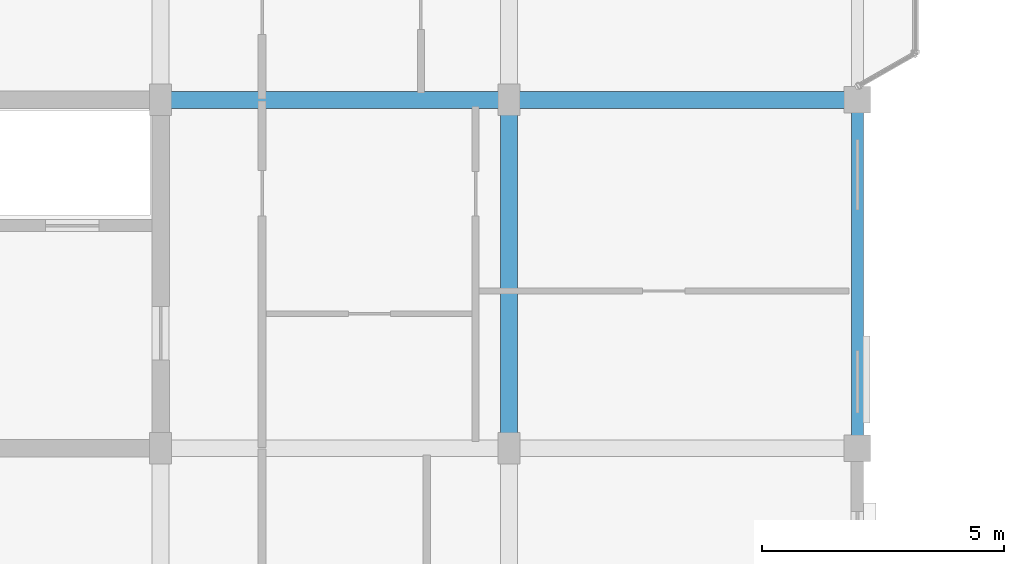
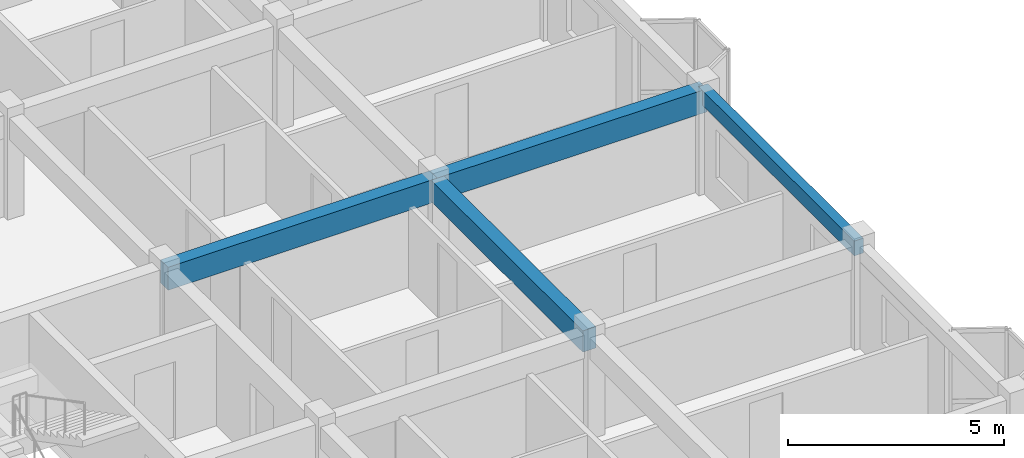
# One storey, part 7 of 77: 4 beams.
"""IFC4 building model written with IfcOpenShell, lengths in metres."""

from ifc_helpers import new_model, si_unit, direction, frame, origin, origin_2d, place, context, subcontext, project, spatial, rectangle, extrude, material, material_profile, profile_set, type_object, element, save


model = new_model("IFC4")

# Units and contexts
model_context = context("Model", 3, precision=1e-05, world=origin(), true_north=direction((0.0, 1.0)))
body_context = subcontext(model_context, "Body", "Model", "MODEL_VIEW")
ifc_project = project(units=[si_unit("LENGTHUNIT", "METRE"), si_unit("AREAUNIT", "SQUARE_METRE"), si_unit("VOLUMEUNIT", "CUBIC_METRE"), si_unit("PLANEANGLEUNIT", "RADIAN"), si_unit("MASSUNIT", "GRAM", prefix="KILO"), si_unit("THERMODYNAMICTEMPERATUREUNIT", "KELVIN"), si_unit("POWERUNIT", "WATT")], contexts=[model_context])

# Site, building, storey
site_placement = place(None, origin())
site = spatial("IfcSite", under=ifc_project, at=site_placement, CompositionType="ELEMENT")
building_placement = place(site_placement, origin())
building = spatial("IfcBuilding", under=site, at=building_placement, Name="Tavuni Mirador Residences", CompositionType="ELEMENT")
storey_placement = place(building_placement, frame((0.0, 0.0, 17.10009765625)))
storey = spatial("IfcBuildingStorey", under=building, at=storey_placement, Name="L05", CompositionType="ELEMENT", Elevation=17.10009765625)

# Beams
ifc_material = material(Name="Precast concrete C40/50", Category="concrete")
ifc_material_profile_1 = material_profile(ifc_material, rectangle(XDim=0.35009765625, YDim=0.60009765625, at=origin_2d()), Name="PC 350x600", Category="concrete")
ifc_profile_set_1 = profile_set([ifc_material_profile_1], Name="Precast concrete C40/50")
beam_type_1 = type_object("IfcBeamType", Name="BT-B600", PredefinedType="BEAM", material=ifc_profile_set_1)
beam_1_placement = place(storey_placement, frame((25.199951171875, 14.39990234375, 2.56982421875), z_axis=(0.0, 1.0, 0.0), x_axis=(-1.0, 0.0, 0.0)))
element("IfcBeam", 1, at=beam_1_placement, inside=storey, type_object=beam_type_1, Name="BMY-BLK-A-L05-03-01", PredefinedType="BEAM", context=body_context, shape_type="SweptSolid", body=[
    extrude(rectangle(XDim=0.35009765625, YDim=0.60009765625, at=origin_2d()), origin(), (0.0, 0.0, 1.0), 7.2001953125),
])
ifc_material_profile_2 = material_profile(ifc_material, rectangle(XDim=0.35009765625, YDim=0.64990234375, at=origin_2d()), Name="PC 350x650", Category="concrete")
ifc_profile_set_2 = profile_set([ifc_material_profile_2], Name="Precast concrete C40/50")
beam_type_2 = type_object("IfcBeamType", Name="BT-B650", PredefinedType="BEAM", material=ifc_profile_set_2)
for number, where, z_axis, x_axis, name in (
    (2, (18.0, 21.60009765625, 2.544921875), (1.0, 0.0, 0.0), (0.0, 1.0, 0.0), "BMX-BLK-A-L05-02-02"),
    (3, (25.199951171875, 21.60009765625, 2.544921875), (1.0, 0.0, 0.0), (0.0, 1.0, 0.0), "BMX-BLK-A-L05-03-02"),
):
    element("IfcBeam", number, at=place(storey_placement, frame(where, z_axis=z_axis, x_axis=x_axis)), inside=storey, type_object=beam_type_2, Name=name, PredefinedType="BEAM", context=body_context, shape_type="SweptSolid", body=[
        extrude(rectangle(XDim=0.35009765625, YDim=0.64990234375, at=origin_2d()), origin(), (0.0, 0.0, 1.0), 7.199951171875),
    ])
ifc_material_profile_3 = material_profile(ifc_material, rectangle(XDim=0.25, YDim=0.419921875, at=origin_2d()), Name="PC 250x420", Category="concrete")
ifc_profile_set_3 = profile_set([ifc_material_profile_3], Name="Precast concrete C40/50")
beam_type_3 = type_object("IfcBeamType", Name="BT-SP420", PredefinedType="SPANDREL", material=ifc_profile_set_3)
beam_2_placement = place(storey_placement, frame((32.39990234375, 14.39990234375, 2.659912109375), z_axis=(0.0, 1.0, 0.0), x_axis=(-1.0, 0.0, 0.0)))
element("IfcBeam", 4, at=beam_2_placement, inside=storey, type_object=beam_type_3, Name="BMY-BLK-A-L05-04-01", PredefinedType="SPANDREL", context=body_context, shape_type="SweptSolid", body=[
    extrude(rectangle(XDim=0.25, YDim=0.419921875, at=origin_2d()), origin(), (0.0, 0.0, 1.0), 7.2001953125),
])

save(model, "model.ifc")
